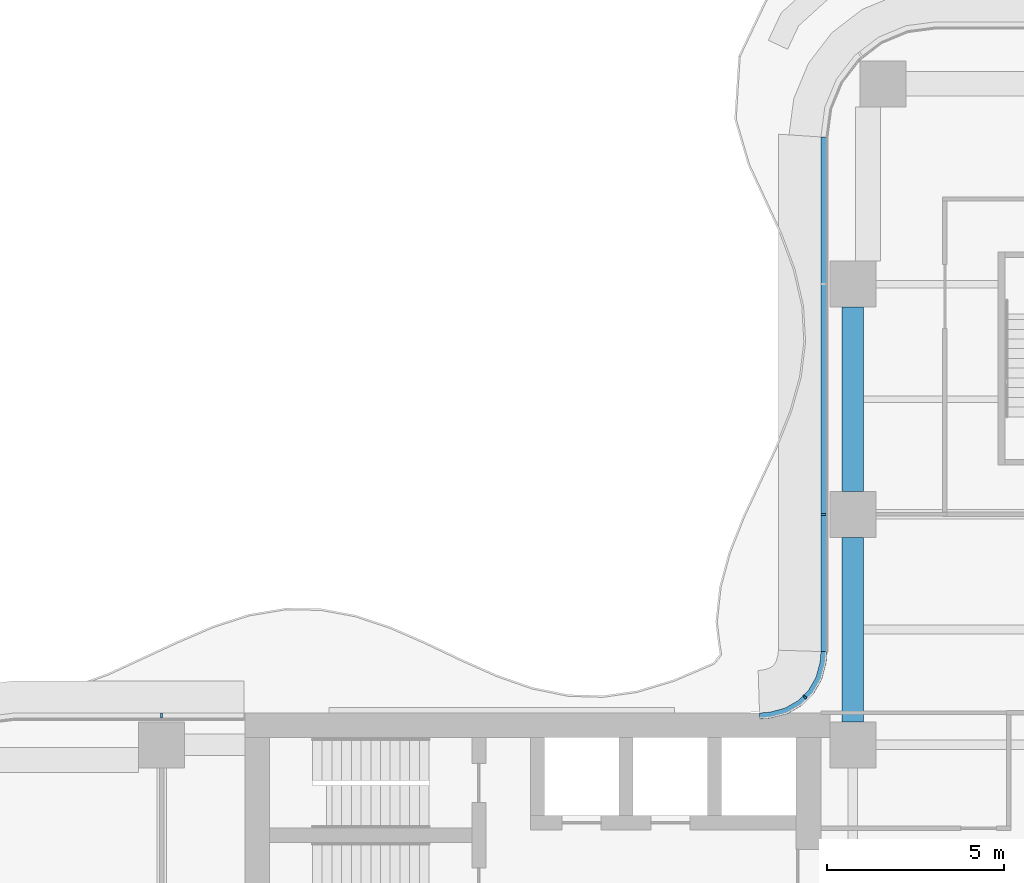
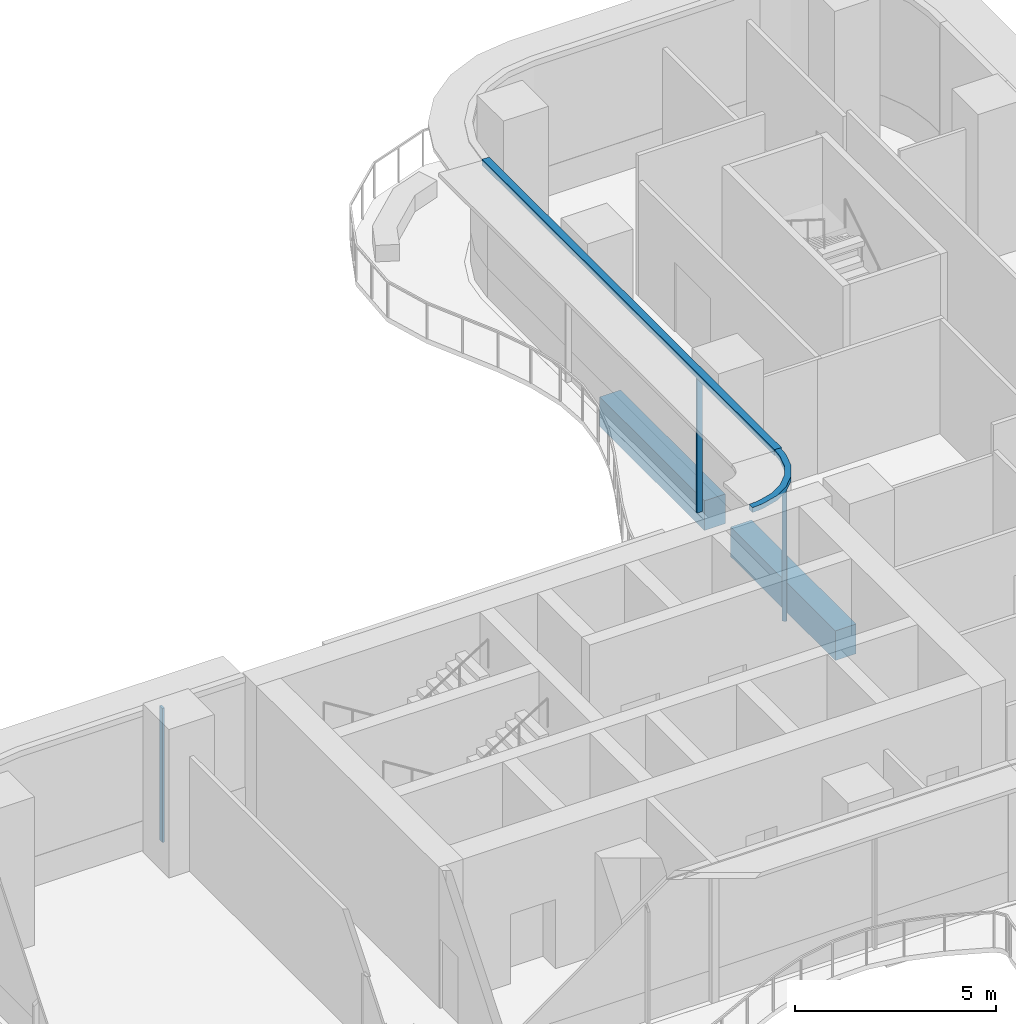
# One storey, part 8 of 20: 5 members, 2 beams, 3 elements without a shape of their own.
"""IFC4 building model written with IfcOpenShell, lengths in metres."""

import ifcopenshell
import ifcopenshell.guid

model = None  # the IFC model being written
_history = None  # IfcOwnerHistory: only IFC2X3 demands one
_inside = {}  # id of a spatial element -> (the spatial element, [elements in it])
_under = {}  # id of a project, library or spatial element -> (it, [spatial elements below it])
_declared = {}  # id of a project -> (the project, [libraries it declares])
_typed = {}  # id of a type object -> (the type object, [elements of that type])
_made_of = {}  # id of a material, layer set ... -> (it, [elements and type objects made of it])


def new_model(schema):
    """Start an empty IFC model of exactly this schema.

    Asked for "IFC4X3", IfcOpenShell would pick the latest addendum, in which some entities
    have other attributes; the version numbers below select the first issue.
    IFC2X3 requires an IfcOwnerHistory on every rooted entity: one is made here for all.
    """
    global model, _history
    if schema == "IFC4X3":
        model = ifcopenshell.file(schema_version=(4, 3, 0, 0))
    else:
        model = ifcopenshell.file(schema=schema)
    _inside.clear()
    _under.clear()
    _declared.clear()
    _typed.clear()
    _made_of.clear()
    _history = None
    if model.schema == "IFC2X3":
        org = make("IfcOrganization", Name="unknown")
        user = make(
            "IfcPersonAndOrganization",
            ThePerson=make("IfcPerson", FamilyName="unknown"),
            TheOrganization=org,
        )
        app = make(
            "IfcApplication",
            ApplicationDeveloper=org,
            Version="unknown",
            ApplicationFullName="unknown",
            ApplicationIdentifier="unknown",
        )
        _history = make(
            "IfcOwnerHistory",
            OwningUser=user,
            OwningApplication=app,
            ChangeAction="ADDED",
            CreationDate=0,
        )
    return model


def make(cls, **values):
    """One entity of the class cls with the attributes given. An attribute that is None is left unset."""
    return model.create_entity(
        cls, **{name: value for name, value in values.items() if value is not None}
    )


def rooted(cls, **values):
    """An entity with a GlobalId (a new one), such as an element, a storey or a relation."""
    return make(cls, GlobalId=ifcopenshell.guid.new(), OwnerHistory=_history, **values)


def si_unit(unit_type, name, prefix=None):
    """IfcSIUnit, for example si_unit("LENGTHUNIT", "METRE", prefix="MILLI")."""
    return make("IfcSIUnit", UnitType=unit_type, Prefix=prefix, Name=name)


def assignment(units):
    """IfcUnitAssignment: the units of a project."""
    return None if units is None else make("IfcUnitAssignment", Units=units)


def point(xyz):
    """IfcCartesianPoint."""
    return None if xyz is None else make("IfcCartesianPoint", Coordinates=xyz)


def direction(xyz):
    """IfcDirection."""
    return None if xyz is None else make("IfcDirection", DirectionRatios=xyz)


def frame(location, z_axis=None, x_axis=None):
    """IfcAxis2Placement3D, a coordinate frame: its origin and axes. An axis left out is left unset."""
    return make(
        "IfcAxis2Placement3D",
        Location=point(location),
        Axis=direction(z_axis),
        RefDirection=direction(x_axis),
    )


def frame_2d(location, x_axis=None):
    """IfcAxis2Placement2D, a coordinate frame in the plane: its origin and x axis."""
    return make(
        "IfcAxis2Placement2D", Location=point(location), RefDirection=direction(x_axis)
    )


def origin():
    """The frame at (0, 0, 0) with its axes left unset."""
    return frame((0.0, 0.0, 0.0))


def origin_2d():
    """The frame at (0, 0) in the plane with its x axis left unset."""
    return frame_2d((0.0, 0.0))


def place(relative_to, where):
    """IfcLocalPlacement: puts the frame where relative to a parent placement (None: the world)."""
    return make(
        "IfcLocalPlacement", PlacementRelTo=relative_to, RelativePlacement=where
    )


def context(
    kind, dimensions, precision=None, world=None, true_north=None, identifier=None
):
    """IfcGeometricRepresentationContext, for example the 3D "Model" context."""
    return make(
        "IfcGeometricRepresentationContext",
        ContextIdentifier=identifier,
        ContextType=kind,
        CoordinateSpaceDimension=dimensions,
        Precision=precision,
        WorldCoordinateSystem=world,
        TrueNorth=true_north,
    )


def subcontext(parent, identifier, kind, view, scale=None):
    """IfcGeometricRepresentationSubContext, for example "Body" below "Model"."""
    return make(
        "IfcGeometricRepresentationSubContext",
        ContextIdentifier=identifier,
        ContextType=kind,
        ParentContext=parent,
        TargetScale=scale,
        TargetView=view,
    )


def project(units=None, contexts=None):
    """IfcProject with its units and contexts."""
    return rooted(
        "IfcProject",
        Name="project",
        RepresentationContexts=contexts,
        UnitsInContext=assignment(units),
    )


def spatial(cls, under=None, at=None, **own):
    """A site, building, storey or space (cls), placed at a placement, below another one or the project."""
    s = rooted(cls, ObjectPlacement=at, **own)
    if under is not None:
        _under.setdefault(under.id(), (under, []))[1].append(s)
    return s


def polyline(points):
    """IfcPolyline through the points."""
    return make("IfcPolyline", Points=[point(p) for p in points])


def profile(cls, at=None, kind="AREA", **sizes):
    """A parametric profile (cls). Its sizes go by their IFC names, for example OverallWidth=200.0."""
    return make(cls, ProfileType=kind, Position=at, **sizes)


def rectangle(**sizes):
    """IfcRectangleProfileDef."""
    return profile("IfcRectangleProfileDef", **sizes)


def outline(outer, holes=None, kind="AREA"):
    """IfcArbitraryClosedProfileDef: a profile drawn as a closed curve; with holes, ...WithVoids."""
    if holes is None:
        return make("IfcArbitraryClosedProfileDef", ProfileType=kind, OuterCurve=outer)
    return make(
        "IfcArbitraryProfileDefWithVoids",
        ProfileType=kind,
        OuterCurve=outer,
        InnerCurves=holes,
    )


def extrude(swept, where, along, depth):
    """IfcExtrudedAreaSolid: the profile swept, set in the frame where, extruded along a direction by depth."""
    return make(
        "IfcExtrudedAreaSolid",
        SweptArea=swept,
        Position=where,
        ExtrudedDirection=direction(along),
        Depth=depth,
    )


def shape(context_of_items, identifier, shape_type, items):
    """IfcShapeRepresentation: the items that make up one representation, for example the "Body"."""
    return make(
        "IfcShapeRepresentation",
        ContextOfItems=context_of_items,
        RepresentationIdentifier=identifier,
        RepresentationType=shape_type,
        Items=items,
    )


def source(mapping_origin, context_of_items, identifier, shape_type, items):
    """IfcRepresentationMap: a shape defined once, which mapped items show again and again."""
    return make(
        "IfcRepresentationMap",
        MappingOrigin=mapping_origin,
        MappedRepresentation=shape(context_of_items, identifier, shape_type, items),
    )


def transform(
    local_origin,
    x_axis=None,
    y_axis=None,
    z_axis=None,
    scale=None,
    scale2=None,
    scale3=None,
    uniform=True,
):
    """IfcCartesianTransformationOperator3D, or its non-uniform kind. x_axis, y_axis, z_axis: its Axis1, 2, 3."""
    if uniform:
        return make(
            "IfcCartesianTransformationOperator3D",
            Axis1=direction(x_axis),
            Axis2=direction(y_axis),
            LocalOrigin=point(local_origin),
            Scale=scale,
            Axis3=direction(z_axis),
        )
    return make(
        "IfcCartesianTransformationOperator3DnonUniform",
        Axis1=direction(x_axis),
        Axis2=direction(y_axis),
        LocalOrigin=point(local_origin),
        Scale=scale,
        Axis3=direction(z_axis),
        Scale2=scale2,
        Scale3=scale3,
    )


def mapped(mapping_source, mapping_target):
    """IfcMappedItem: shows the shape of a source again, moved by a transform."""
    return make(
        "IfcMappedItem", MappingSource=mapping_source, MappingTarget=mapping_target
    )


def material(Name=None, Category=None):
    """IfcMaterial."""
    return make("IfcMaterial", Name=Name, Category=Category)


def layer(
    of_material, thickness, ventilated=None, Name=None, Category=None, Priority=None
):
    """IfcMaterialLayer: one layer of a wall or slab, of a material (None: an air gap)."""
    return make(
        "IfcMaterialLayer",
        Material=of_material,
        LayerThickness=thickness,
        IsVentilated=ventilated,
        Name=Name,
        Category=Category,
        Priority=Priority,
    )


def layer_set(layers, Name=None):
    """IfcMaterialLayerSet."""
    return make("IfcMaterialLayerSet", MaterialLayers=layers, LayerSetName=Name)


def material_profile(
    of_material, cross_section, Name=None, Category=None, Priority=None
):
    """IfcMaterialProfile: a cross section and its material."""
    return make(
        "IfcMaterialProfile",
        Name=Name,
        Material=of_material,
        Profile=cross_section,
        Priority=Priority,
        Category=Category,
    )


def profile_set(profiles, Name=None, composite=None):
    """IfcMaterialProfileSet."""
    return make(
        "IfcMaterialProfileSet",
        Name=Name,
        MaterialProfiles=profiles,
        CompositeProfile=composite,
    )


def made_of(thing, what):
    """Note that an element or type object is made of a material, layer set ...; save() writes the relation."""
    if what is not None:
        _made_of.setdefault(what.id(), (what, []))[1].append(thing)
    return thing


def type_object(cls, material=None, **own):
    """A type object (cls), such as IfcWallType, which elements share."""
    return made_of(rooted(cls, **own), material)


def element(
    cls,
    number,
    at=None,
    inside=None,
    cuts=None,
    type_object=None,
    material=None,
    context=None,
    identifier="Body",
    shape_type=None,
    held_by="IfcProductDefinitionShape",
    body=None,
    shapes=None,
    **own,
):
    """One element of the class cls, such as IfcWall. Its Tag is "e" and its number.

    at: its placement. inside: the storey or other place that contains it. cuts: it is an
    opening in that element (IfcRelVoidsElement). A single representation is given by context,
    identifier, shape_type and body (its items); several are given by shapes. held_by: the class
    of the entity that holds the representations. save() writes the other relations.
    """
    e = rooted(cls, Tag="e%d" % number, ObjectPlacement=at, **own)
    if body is not None:
        shapes = [shape(context, identifier, shape_type, body)]
    if shapes is not None:
        e.Representation = make(held_by, Representations=shapes)
    if inside is not None:
        _inside.setdefault(inside.id(), (inside, []))[1].append(e)
    if cuts is not None:
        rooted(
            "IfcRelVoidsElement", RelatingBuildingElement=cuts, RelatedOpeningElement=e
        )
    if type_object is not None:
        _typed.setdefault(type_object.id(), (type_object, []))[1].append(e)
    return made_of(e, material)


def aggregate(whole, parts):
    """IfcRelAggregates: a whole, such as a stair, and the parts it consists of."""
    return rooted("IfcRelAggregates", RelatingObject=whole, RelatedObjects=parts)


def save(model, path):
    """Write the relations noted so far, then the file.

    IfcRelAggregates (storeys below a building ...), IfcRelContainedInSpatialStructure (elements
    in a storey), IfcRelDefinesByType, IfcRelAssociatesMaterial and IfcRelDeclares: one each for
    every whole, place, type object, material and project.
    """
    for whole, parts in _under.values():
        aggregate(whole, parts)
    for where, things in _inside.values():
        rooted(
            "IfcRelContainedInSpatialStructure",
            RelatedElements=things,
            RelatingStructure=where,
        )
    for kind, things in _typed.values():
        rooted("IfcRelDefinesByType", RelatedObjects=things, RelatingType=kind)
    for what, things in _made_of.values():
        rooted("IfcRelAssociatesMaterial", RelatedObjects=things, RelatingMaterial=what)
    for by, libraries in _declared.values():
        rooted("IfcRelDeclares", RelatingContext=by, RelatedDefinitions=libraries)
    model.write(path)


model = new_model("IFC4")

# Units and contexts
model_context = context("Model", 3, precision=1e-05, world=origin(), true_north=direction((0.0, 1.0)))
body_context = subcontext(model_context, "Body", "Model", "MODEL_VIEW")
ifc_project = project(units=[si_unit("LENGTHUNIT", "METRE"), si_unit("AREAUNIT", "SQUARE_METRE"), si_unit("VOLUMEUNIT", "CUBIC_METRE"), si_unit("PLANEANGLEUNIT", "RADIAN"), si_unit("MASSUNIT", "GRAM", prefix="KILO")], contexts=[model_context])

# Site, building, storey
site_placement = place(None, origin())
site = spatial("IfcSite", under=ifc_project, at=site_placement, CompositionType="ELEMENT")
building_placement = place(site_placement, origin())
building = spatial("IfcBuilding", under=site, at=building_placement, Name="Trellis Farm Tower", CompositionType="ELEMENT")
storey_placement = place(building_placement, frame((0.0, 0.0, 133.5)))
storey = spatial("IfcBuildingStorey", under=building, at=storey_placement, Name="L28", CompositionType="ELEMENT", Elevation=133.5)

# Beams
ifc_material_1 = material(Name="Concrete C60/75", Category="concrete")
ifc_material_profile_1 = material_profile(ifc_material_1, rectangle(XDim=0.60009765625, YDim=0.89990234375, at=origin_2d()), Name="RC spandrel beam 600x900 C60/75")
ifc_profile_set_1 = profile_set([ifc_material_profile_1], Name="Concrete C60/75")
beam_type = type_object("IfcBeamType", Name="RC spandrel beam 600x900 C60/75", PredefinedType="SPANDREL", material=ifc_profile_set_1)
shared_shape_1 = source(origin(), body_context, "Body", "SweptSolid", [
    extrude(rectangle(XDim=0.60009765625, YDim=0.89990234375, at=origin_2d()), origin(), (0.0, 0.0, 1.0), 5.199951171875),
])
for number, where, z_axis, x_axis, name in (
    (1, (-5.60009765625, 6.25, -0.699951171875), (0.0, 1.0, 0.0), (-1.0, 0.0, 0.0), "Girder"),
    (2, (-5.60009765625, 12.75, -0.699951171875), (0.0, 1.0, 0.0), (-1.0, 0.0, 0.0), "Girder"),
):
    element("IfcBeam", number, at=place(storey_placement, frame(where, z_axis=z_axis, x_axis=x_axis)), inside=storey, type_object=beam_type, Name=name, PredefinedType="SPANDREL", context=body_context, shape_type="MappedRepresentation", body=[
        mapped(shared_shape_1, transform((0.0, 0.0, 0.0))),
    ])

# Curtain wall, member
ifc_material_2 = material(Name="Aluminium and glass curtain wall", Category="aluminium")
ifc_layer_1 = layer(ifc_material_2, 0.18994140625)
ifc_layer_set_1 = layer_set([ifc_layer_1], Name="RIBBON CURTAIN WALL CW1")
curtain_wall_type_1 = type_object("IfcCurtainWallType", Name="RIBBON CURTAIN WALL CW1", PredefinedType="NOTDEFINED", material=ifc_layer_set_1)
placement = place(storey_placement, origin())
curtain_wall_1 = element("IfcCurtainWall", 3, at=placement, inside=storey, type_object=curtain_wall_type_1, Name="CW1 011", PredefinedType="NOTDEFINED")
ifc_material_3 = material(Name="Aluminium extrusion 6063-T6", Category="aluminium")
ifc_material_profile_2 = material_profile(ifc_material_3, rectangle(XDim=0.06005859375, YDim=0.14990234375, at=origin_2d()), Name="MULLION 60x150")
ifc_profile_set_2 = profile_set([ifc_material_profile_2], Name="Aluminium extrusion 6063-T6")
member_type_1 = type_object("IfcMemberType", Name="CW1 MULLION 60x150", PredefinedType="MULLION", material=ifc_profile_set_2)
shared_shape_2 = source(origin(), body_context, "Body", "SweptSolid", [
    extrude(rectangle(XDim=0.06005859375, YDim=0.14990234375, at=origin_2d()), origin(), (0.0, 0.0, 1.0), 4.070068359375),
])
member_1_placement = place(storey_placement, frame((-6.425048828125, 12.10009765625, 0.0), z_axis=(0.0, 0.0, 1.0), x_axis=(0.0, -1.0, 0.0)))
member_1 = element("IfcMember", 4, at=member_1_placement, type_object=member_type_1, Name="MU1 011-02", PredefinedType="MULLION", context=body_context, shape_type="MappedRepresentation", body=[
    mapped(shared_shape_2, transform((0.0, 0.0, 0.0))),
])

curtain_wall_2 = element("IfcCurtainWall", 5, at=placement, inside=storey, type_object=curtain_wall_type_1, Name="CW1 012", PredefinedType="NOTDEFINED")
member_2_placement = place(storey_placement, frame((-25.10009765625, 6.425048828125, 0.0), z_axis=(0.0, 0.0, 1.0), x_axis=(-1.0, 0.0, 0.0)))
member_2 = element("IfcMember", 6, at=member_2_placement, type_object=member_type_1, Name="MU1 012-01", PredefinedType="MULLION", context=body_context, shape_type="MappedRepresentation", body=[
    mapped(shared_shape_2, transform((0.0, 0.0, 0.0))),
])
aggregate(curtain_wall_2, [member_2])

# Curtain wall, members
ifc_layer_2 = layer(ifc_material_2, 0.166015625)
ifc_layer_set_2 = layer_set([ifc_layer_2], Name="WINTER GARDEN CURTAIN WALL CW3")
curtain_wall_type_2 = type_object("IfcCurtainWallType", Name="WINTER GARDEN CURTAIN WALL CW3", PredefinedType="NOTDEFINED", material=ifc_layer_set_2)
curtain_wall_3 = element("IfcCurtainWall", 7, at=placement, inside=storey, type_object=curtain_wall_type_2, Name="CW3 004", PredefinedType="NOTDEFINED")
ifc_material_profile_3 = material_profile(ifc_material_3, rectangle(XDim=0.050048828125, YDim=0.1201171875, at=origin_2d()), Name="MULLION 50x120")
ifc_profile_set_3 = profile_set([ifc_material_profile_3], Name="Aluminium extrusion 6063-T6")
member_type_2 = type_object("IfcMemberType", Name="CW3 MULLION 50x120", PredefinedType="MULLION", material=ifc_profile_set_3)
shared_shape_3 = source(origin(), body_context, "Body", "SweptSolid", [
    extrude(rectangle(XDim=0.050048828125, YDim=0.1201171875, at=origin_2d()), origin(), (0.0, 0.0, 1.0), 4.10009765625),
])
member_3_placement = place(storey_placement, frame((-6.953125, 6.953125, 0.0), z_axis=(0.0, 0.0, 1.0), x_axis=(-0.707106781187, -0.707106781187, 0.0)))
member_3 = element("IfcMember", 8, at=member_3_placement, type_object=member_type_2, Name="MU3 004-01", PredefinedType="MULLION", context=body_context, shape_type="MappedRepresentation", body=[
    mapped(shared_shape_3, transform((0.0, 0.0, 0.0))),
])
ifc_layer_3 = layer(ifc_material_3, 0.169921875)
ifc_layer_set_3 = layer_set([ifc_layer_3], Name="Aluminium extrusion 6063-T6")
member_type_3 = type_object("IfcMemberType", Name="CW3 TRANSOM 170x150", PredefinedType="USERDEFINED", material=ifc_layer_set_3)
shared_shape_4 = source(origin(), body_context, "Body", "SweptSolid", [
    extrude(outline(polyline([(-6.5, 8.2314453125), (-6.513916015625, 8.01953125), (-6.527587890625, 7.91552734375), (-6.63671875, 7.508544921875), (-6.846923828125, 7.144287109375), (-7.144287109375, 6.846923828125), (-7.508544921875, 6.63671875), (-7.91552734375, 6.527587890625), (-8.01953125, 6.513916015625), (-8.2314453125, 6.5), (-8.225830078125, 6.330078125), (-8.0029296875, 6.3447265625), (-7.88232421875, 6.360595703125), (-7.44287109375, 6.478271484375), (-7.0400390625, 6.7109375), (-6.7109375, 7.0400390625), (-6.478271484375, 7.44287109375), (-6.360595703125, 7.88232421875), (-6.3447265625, 8.0029296875), (-6.330078125, 8.225830078125), (-6.5, 8.2314453125)])), origin(), (0.0, 0.0, 1.0), 0.14990234375),
])
member_4_placement = place(storey_placement, frame((0.0, 0.0, 4.10009765625)))
member_4 = element("IfcMember", 9, at=member_4_placement, type_object=member_type_3, Name="TR3 004", ObjectType="TRANSOM", PredefinedType="USERDEFINED", context=body_context, shape_type="MappedRepresentation", body=[
    mapped(shared_shape_4, transform((0.0, 0.0, 0.0))),
])
aggregate(curtain_wall_3, [member_3, member_4])

# Member
ifc_layer_4 = layer(ifc_material_3, 0.199951171875)
ifc_layer_set_4 = layer_set([ifc_layer_4], Name="Aluminium extrusion 6063-T6")
member_type_4 = type_object("IfcMemberType", Name="CW1 TRANSOM 200x180", PredefinedType="USERDEFINED", material=ifc_layer_set_4)
shared_shape_5 = source(origin(), body_context, "Body", "SweptSolid", [
    extrude(outline(polyline([(-6.5, 22.75), (-6.5, 8.2314453125), (-6.300048828125, 8.224853515625), (-6.300048828125, 22.73681640625), (-6.5, 22.75)])), origin(), (0.0, 0.0, 1.0), 0.179931640625),
])
member_5_placement = place(storey_placement, frame((0.0, 0.0, 4.070068359375)))
member_5 = element("IfcMember", 10, at=member_5_placement, type_object=member_type_4, Name="TR1 011", ObjectType="TRANSOM", PredefinedType="USERDEFINED", context=body_context, shape_type="MappedRepresentation", body=[
    mapped(shared_shape_5, transform((0.0, 0.0, 0.0))),
])

aggregate(curtain_wall_1, [member_1, member_5])

save(model, "model.ifc")
